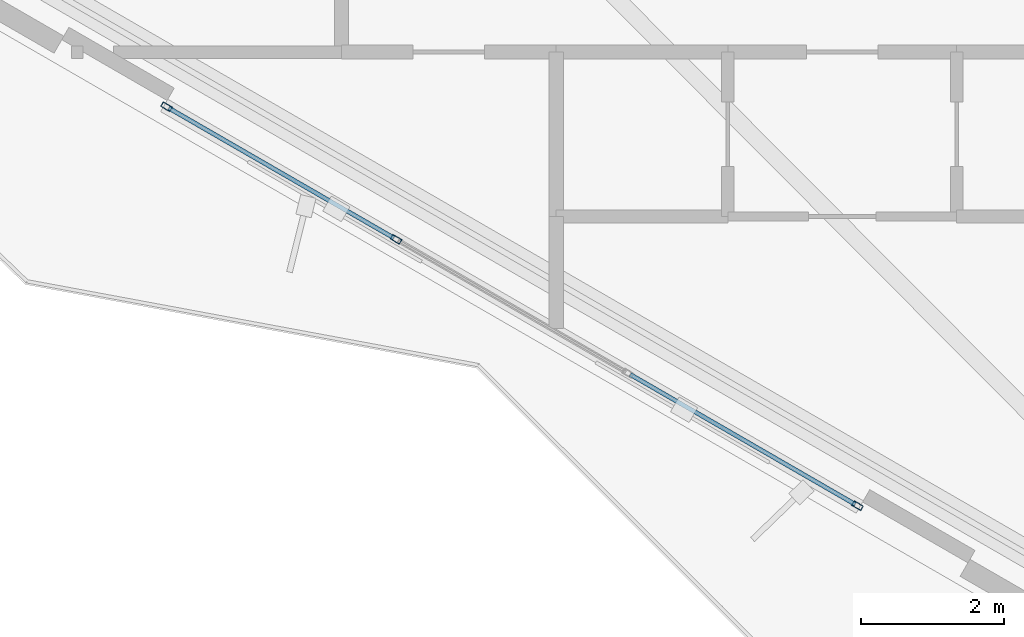
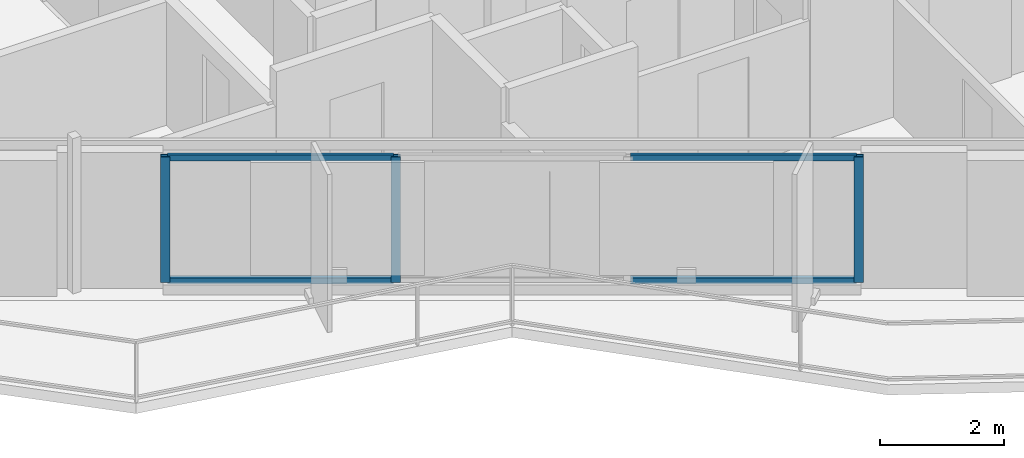
# One storey, part 2 of 22: 7 members, 1 element without a shape of its own.
"""IFC4 building model written with IfcOpenShell, lengths in metres."""

from ifc_helpers import new_model, si_unit, direction, frame, origin, origin_2d, place, context, subcontext, project, spatial, hollow_rectangle, extrude, material, layer, layer_set, material_profile, profile_set, type_object, element, aggregate, save


model = new_model("IFC4")

# Units and contexts
model_context = context("Model", 3, precision=1e-05, world=origin(), true_north=direction((0.0, 1.0)))
body_context = subcontext(model_context, "Body", "Model", "MODEL_VIEW")
ifc_project = project(units=[si_unit("LENGTHUNIT", "METRE"), si_unit("AREAUNIT", "SQUARE_METRE"), si_unit("VOLUMEUNIT", "CUBIC_METRE"), si_unit("PLANEANGLEUNIT", "RADIAN"), si_unit("MASSUNIT", "GRAM", prefix="KILO")], contexts=[model_context])

# Site, building, storey
site_placement = place(None, origin())
site = spatial("IfcSite", under=ifc_project, at=site_placement, CompositionType="ELEMENT")
building_placement = place(site_placement, origin())
building = spatial("IfcBuilding", under=site, at=building_placement, Name="Mersakhor Tower and Convention Hall", CompositionType="ELEMENT")
storey_placement = place(building_placement, frame((0.0, 0.0, 90.0)))
storey = spatial("IfcBuildingStorey", under=building, at=storey_placement, Name="L24", CompositionType="ELEMENT", Elevation=90.0)

# Curtain wall, members
ifc_material_1 = material(Name="Dark solar low-E aluminium curtain wall", Category="aluminium")
ifc_layer = layer(ifc_material_1, 0.159912109375)
ifc_layer_set = layer_set([ifc_layer], Name="Dark solar low-E aluminium curtain wall")
curtain_wall_type = type_object("IfcCurtainWallType", Name="CW-SYS-01", PredefinedType="USERDEFINED", material=ifc_layer_set)
curtain_wall_placement = place(storey_placement, origin())
curtain_wall = element("IfcCurtainWall", 1, at=curtain_wall_placement, inside=storey, type_object=curtain_wall_type, Name="L24 Dark-Glass Curtain Wall F3-B2", ObjectType="CURTAIN WALL", PredefinedType="USERDEFINED")
ifc_material_2 = material(Name="Anodised aluminium EN AW-6063 T6", Category="aluminium")
ifc_material_profile_1 = material_profile(ifc_material_2, hollow_rectangle(XDim=0.074951171875, YDim=0.14990234375, WallThickness=0.00634765625, at=origin_2d()), Name="RHS 150x75x6.3")
ifc_profile_set_1 = profile_set([ifc_material_profile_1], Name="Anodised aluminium EN AW-6063 T6")
member_type_1 = type_object("IfcMemberType", Name="CWM-150x75", PredefinedType="MULLION", material=ifc_profile_set_1)
member_1_placement = place(storey_placement, frame((26.812744140625, 11.80712890625, 0.199951171875), z_axis=(0.0, 0.0, 1.0), x_axis=(-0.499997904985, -0.866026613339, 0.0)))
member_1 = element("IfcMember", 2, at=member_1_placement, type_object=member_type_1, Name="CW-01 mullion 1", PredefinedType="MULLION", context=body_context, shape_type="SweptSolid", body=[
    extrude(hollow_rectangle(XDim=0.074951171875, YDim=0.14990234375, WallThickness=0.00634765625, at=origin_2d()), origin(), (0.0, 0.0, 1.0), 2.469970703125),
])
member_2_placement = place(storey_placement, frame((20.36181640625, 15.531494140625, 0.199951171875), z_axis=(0.0, 0.0, 1.0), x_axis=(-0.499997904985, -0.866026613339, 0.0)))
member_2 = element("IfcMember", 3, at=member_2_placement, type_object=member_type_1, Name="CW-01 mullion 3", PredefinedType="MULLION", context=body_context, shape_type="SweptSolid", body=[
    extrude(hollow_rectangle(XDim=0.074951171875, YDim=0.14990234375, WallThickness=0.00634765625, at=origin_2d()), origin(), (0.0, 0.0, 1.0), 2.469970703125),
])
member_3_placement = place(storey_placement, frame((17.152587890625, 17.38427734375, 0.199951171875), z_axis=(0.0, 0.0, 1.0), x_axis=(-0.499997904985, -0.866026613339, 0.0)))
member_3 = element("IfcMember", 4, at=member_3_placement, type_object=member_type_1, Name="CW-01 mullion 4", PredefinedType="MULLION", context=body_context, shape_type="SweptSolid", body=[
    extrude(hollow_rectangle(XDim=0.074951171875, YDim=0.14990234375, WallThickness=0.00634765625, at=origin_2d()), origin(), (0.0, 0.0, 1.0), 2.469970703125),
])
ifc_material_3 = material(Name="Anodised aluminium EN AW-6063 T6", Category="aluminium")
ifc_material_profile_2 = material_profile(ifc_material_3, hollow_rectangle(XDim=0.06005859375, YDim=0.1201171875, WallThickness=0.0048828125, at=origin_2d()), Name="RHS 120x60x5")
ifc_profile_set_2 = profile_set([ifc_material_profile_2], Name="Anodised aluminium EN AW-6063 T6")
member_type_2 = type_object("IfcMemberType", Name="CWT-120x60", PredefinedType="USERDEFINED", material=ifc_profile_set_2)
member_4_placement = place(storey_placement, frame((26.7802734375, 11.82568359375, 0.22998046875), z_axis=(-0.866016497289, 0.500015426185, 0.0), x_axis=(-0.500015426185, -0.866016497289, 0.0)))
member_4 = element("IfcMember", 5, at=member_4_placement, type_object=member_type_2, Name="CW-01 transom 1.1", ObjectType="TRANSOM", PredefinedType="USERDEFINED", context=body_context, shape_type="SweptSolid", body=[
    extrude(hollow_rectangle(XDim=0.06005859375, YDim=0.1201171875, WallThickness=0.0048828125, at=origin_2d()), origin(), (0.0, 0.0, 1.0), 3.630859375),
])
member_5_placement = place(storey_placement, frame((26.7802734375, 11.82568359375, 2.639892578125), z_axis=(-0.866016497289, 0.500015426185, 0.0), x_axis=(-0.500015426185, -0.866016497289, 0.0)))
member_5 = element("IfcMember", 6, at=member_5_placement, type_object=member_type_2, Name="CW-01 transom 1.2", ObjectType="TRANSOM", PredefinedType="USERDEFINED", context=body_context, shape_type="SweptSolid", body=[
    extrude(hollow_rectangle(XDim=0.06005859375, YDim=0.1201171875, WallThickness=0.0048828125, at=origin_2d()), origin(), (0.0, 0.0, 1.0), 3.630859375),
])
member_6_placement = place(storey_placement, frame((20.329345703125, 15.55029296875, 0.22998046875), z_axis=(-0.866045614266, 0.499964992784, 0.0), x_axis=(-0.499964992784, -0.866045614266, 0.0)))
member_6 = element("IfcMember", 7, at=member_6_placement, type_object=member_type_2, Name="CW-01 transom 3.1", ObjectType="TRANSOM", PredefinedType="USERDEFINED", context=body_context, shape_type="SweptSolid", body=[
    extrude(hollow_rectangle(XDim=0.06005859375, YDim=0.1201171875, WallThickness=0.0048828125, at=origin_2d()), origin(), (0.0, 0.0, 1.0), 3.630615234375),
])
member_7_placement = place(storey_placement, frame((20.329345703125, 15.55029296875, 2.639892578125), z_axis=(-0.866045614266, 0.499964992784, 0.0), x_axis=(-0.499964992784, -0.866045614266, 0.0)))
member_7 = element("IfcMember", 8, at=member_7_placement, type_object=member_type_2, Name="CW-01 transom 3.2", ObjectType="TRANSOM", PredefinedType="USERDEFINED", context=body_context, shape_type="SweptSolid", body=[
    extrude(hollow_rectangle(XDim=0.06005859375, YDim=0.1201171875, WallThickness=0.0048828125, at=origin_2d()), origin(), (0.0, 0.0, 1.0), 3.630615234375),
])
aggregate(curtain_wall, [member_1, member_2, member_3, member_4, member_5, member_6, member_7])

save(model, "model.ifc")
